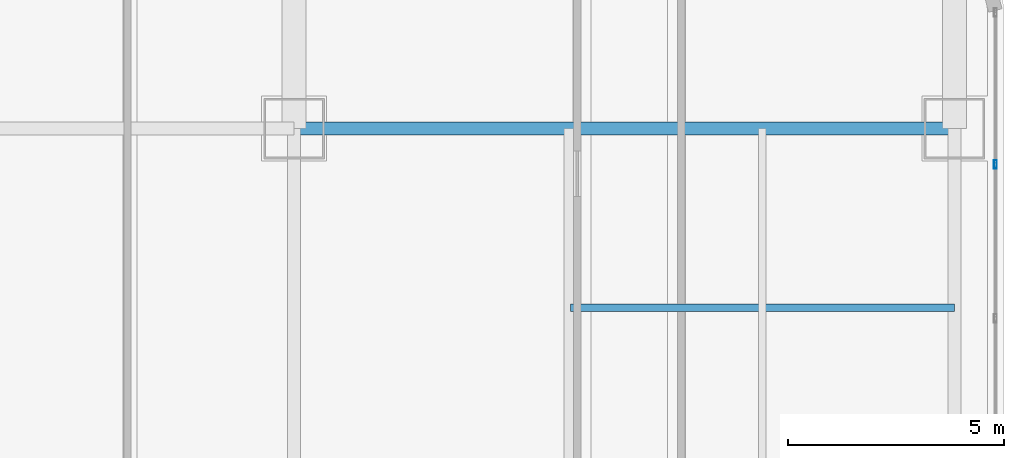
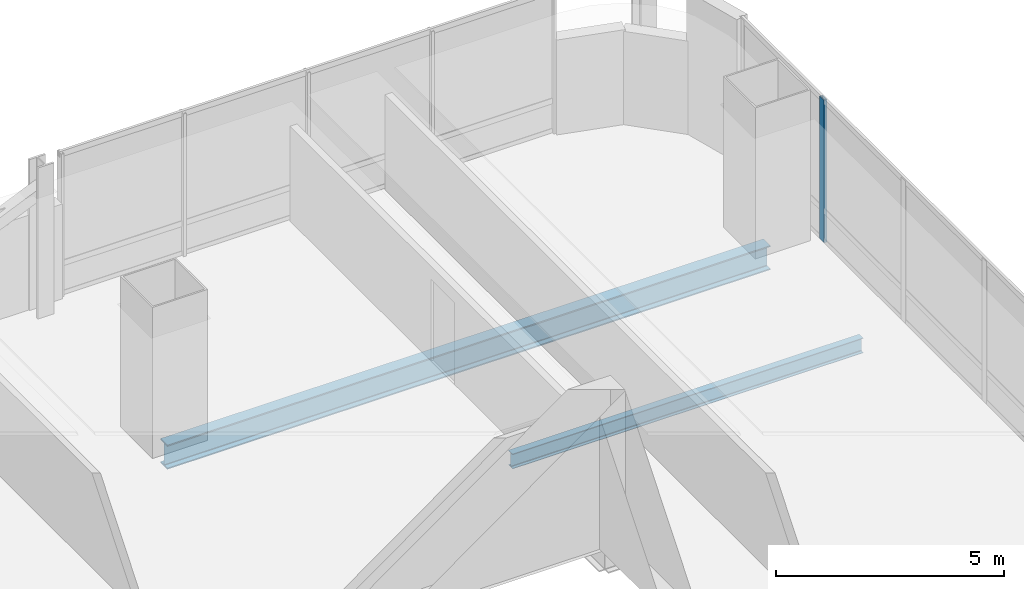
# One storey, part 24 of 38: 2 beams, 1 member, 1 element without a shape of its own.
"""IFC4 building model written with IfcOpenShell, lengths in metres."""

from ifc_helpers import new_model, si_unit, direction, frame, origin, origin_2d, place, context, subcontext, project, spatial, hollow_rectangle, i_section, extrude, material, material_profile, profile_set, type_object, element, aggregate, save


model = new_model("IFC4")

# Units and contexts
model_context = context("Model", 3, precision=1e-05, world=origin(), true_north=direction((0.0, 1.0)))
body_context = subcontext(model_context, "Body", "Model", "MODEL_VIEW")
ifc_project = project(units=[si_unit("LENGTHUNIT", "METRE"), si_unit("AREAUNIT", "SQUARE_METRE"), si_unit("VOLUMEUNIT", "CUBIC_METRE"), si_unit("PLANEANGLEUNIT", "RADIAN"), si_unit("MASSUNIT", "GRAM", prefix="KILO")], contexts=[model_context])

# Site, building, storey
site_placement = place(None, origin())
site = spatial("IfcSite", under=ifc_project, at=site_placement, CompositionType="ELEMENT")
building_placement = place(site_placement, origin())
building = spatial("IfcBuilding", under=site, at=building_placement, Name="Punatoya Terracotta Tower", CompositionType="ELEMENT")
storey_placement = place(building_placement, frame((0.0, 0.0, 156.0)))
storey = spatial("IfcBuildingStorey", under=building, at=storey_placement, Name="L36", CompositionType="ELEMENT", Elevation=156.0)

# Beams
ifc_material_1 = material(Name="Steel S355", Category="steel")
ifc_material_profile_1 = material_profile(ifc_material_1, i_section(OverallWidth=0.300048828125, OverallDepth=0.64990234375, WebThickness=0.01611328125, FlangeThickness=0.031005859375, FilletRadius=0.01806640625, at=origin_2d()))
ifc_profile_set_1 = profile_set([ifc_material_profile_1], Name="Steel S355")
beam_type_1 = type_object("IfcBeamType", Name="BM-PRI-650", PredefinedType="BEAM", material=ifc_profile_set_1)
beam_1_placement = place(storey_placement, frame((3.800048828125, 17.5, -0.544921875), z_axis=(1.0, 0.0, 0.0), x_axis=(0.0, 1.0, 0.0)))
element("IfcBeam", 1, at=beam_1_placement, inside=storey, type_object=beam_type_1, Name="BM-L36-RG-N3", PredefinedType="BEAM", context=body_context, shape_type="SweptSolid", body=[
    extrude(i_section(OverallWidth=0.300048828125, OverallDepth=0.64990234375, WebThickness=0.01611328125, FlangeThickness=0.031005859375, FilletRadius=0.01806640625, at=origin_2d()), origin(), (0.0, 0.0, 1.0), 15.300048828125),
])
ifc_material_profile_2 = material_profile(ifc_material_1, i_section(OverallWidth=0.179931640625, OverallDepth=0.39990234375, WebThickness=0.008544921875, FlangeThickness=0.013427734375, FilletRadius=0.01806640625, at=origin_2d()))
ifc_profile_set_2 = profile_set([ifc_material_profile_2], Name="Steel S355")
beam_type_2 = type_object("IfcBeamType", Name="BM-SEC-400", PredefinedType="JOIST", material=ifc_profile_set_2)
beam_2_placement = place(storey_placement, frame((10.199951171875, 13.35009765625, -0.419921875), z_axis=(1.0, 0.0, 0.0), x_axis=(0.0, 1.0, 0.0)))
element("IfcBeam", 2, at=beam_2_placement, inside=storey, type_object=beam_type_2, Name="BM-L36-SJN-2", PredefinedType="JOIST", context=body_context, shape_type="SweptSolid", body=[
    extrude(i_section(OverallWidth=0.179931640625, OverallDepth=0.39990234375, WebThickness=0.008544921875, FlangeThickness=0.013427734375, FilletRadius=0.01806640625, at=origin_2d()), origin(), (0.0, 0.0, 1.0), 8.900146484375),
])

# Curtain wall, member
ifc_material_2 = material(Name="Aluminium 6063-T6 + Double Low-E Glass", Category="aluminium")
curtain_wall_type = type_object("IfcCurtainWallType", Name="CW-M2", PredefinedType="NOTDEFINED", material=ifc_material_2)
curtain_wall_placement = place(storey_placement, origin())
curtain_wall = element("IfcCurtainWall", 3, at=curtain_wall_placement, inside=storey, type_object=curtain_wall_type, Name="L36 Curtain Wall CW-L36-E05-1", PredefinedType="NOTDEFINED")
ifc_material_3 = material(Name="Aluminium 6063-T6", Category="aluminium")
ifc_material_profile_3 = material_profile(ifc_material_3, hollow_rectangle(XDim=0.072021484375, YDim=0.195068359375, WallThickness=0.00439453125, at=origin_2d()))
ifc_profile_set_3 = profile_set([ifc_material_profile_3], Name="Aluminium 6063-T6")
member_type = type_object("IfcMemberType", Name="CW-MUL-M2", PredefinedType="MULLION", material=ifc_profile_set_3)
member_placement = place(storey_placement, frame((20.050048828125, 16.66943359375, 0.0), z_axis=(0.0, 0.0, 1.0), x_axis=(1.0, 0.0, 0.0)))
member = element("IfcMember", 4, at=member_placement, type_object=member_type, Name="CW-L36-E05-1 Mullion 09", PredefinedType="MULLION", context=body_context, shape_type="SweptSolid", body=[
    extrude(hollow_rectangle(XDim=0.072021484375, YDim=0.195068359375, WallThickness=0.00439453125, at=origin_2d()), origin(), (0.0, 0.0, 1.0), 3.830078125),
])
aggregate(curtain_wall, [member])

save(model, "model.ifc")
